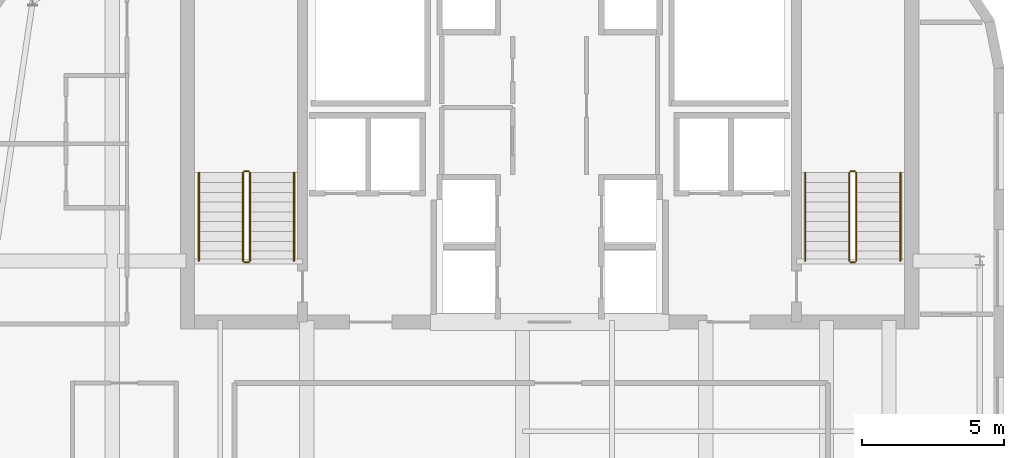
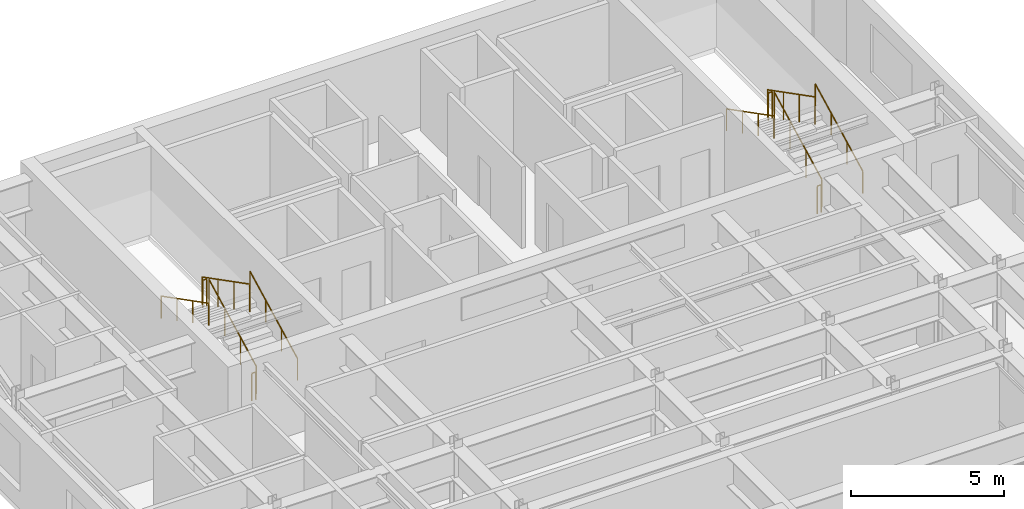
# One storey, part 21 of 21: 12 railings.
"""IFC4 building model written with IfcOpenShell, lengths in metres."""

from ifc_helpers import new_model, si_unit, direction, frame, origin, origin_2d, place, context, subcontext, project, spatial, circle, extrude, material, type_object, element, save


model = new_model("IFC4")

# Units and contexts
model_context = context("Model", 3, precision=1e-05, world=origin(), true_north=direction((0.0, 1.0)))
body_context = subcontext(model_context, "Body", "Model", "MODEL_VIEW")
ifc_project = project(units=[si_unit("LENGTHUNIT", "METRE"), si_unit("AREAUNIT", "SQUARE_METRE"), si_unit("VOLUMEUNIT", "CUBIC_METRE"), si_unit("PLANEANGLEUNIT", "RADIAN"), si_unit("MASSUNIT", "GRAM", prefix="KILO")], contexts=[model_context])

# Site, building, storey
site_placement = place(None, origin())
site = spatial("IfcSite", under=ifc_project, at=site_placement, CompositionType="ELEMENT")
building_placement = place(site_placement, origin())
building = spatial("IfcBuilding", under=site, at=building_placement, Name="Tolvann Quenvar Hotel", CompositionType="ELEMENT")
storey_placement = place(building_placement, frame((0.0, 0.0, 266.5)))
storey = spatial("IfcBuildingStorey", under=building, at=storey_placement, Name="L71", CompositionType="ELEMENT", Elevation=266.5)

# Railings
ifc_material = material(Name="Brushed 316 stainless steel balustrade and handrail", Category="steel")
railing_type_1 = type_object("IfcRailingType", Name="GUARDRAIL", PredefinedType="GUARDRAIL", material=ifc_material)
railing_1_placement = place(storey_placement, frame((12.449951171875, 34.0, 0.177490234375)))
element("IfcRailing", 1, at=railing_1_placement, inside=storey, type_object=railing_type_1, Name="L71 ST-C1 stair guard 1", PredefinedType="GUARDRAIL", context=body_context, shape_type="SweptSolid", body=[
    extrude(circle(Radius=0.02392578125, at=origin_2d()), frame((0.0, 0.0, 1.09619140625), z_axis=(0.0, 0.889221982265, 0.45747597342), x_axis=(-1.0, 0.0, 0.0)), (0.0, 0.0, 1.0), 3.49169921875),
    extrude(circle(Radius=0.02099609375, at=origin_2d()), origin(), (0.0, 0.0, 1.0), 1.072021484375),
    extrude(circle(Radius=0.02099609375, at=origin_2d()), frame((0.0, 1.034912109375, 0.532470703125)), (0.0, 0.0, 1.0), 1.072021484375),
    extrude(circle(Radius=0.02099609375, at=origin_2d()), frame((0.0, 2.070068359375, 1.06494140625)), (0.0, 0.0, 1.0), 1.072021484375),
    extrude(circle(Radius=0.02099609375, at=origin_2d()), frame((0.0, 3.10498046875, 1.597412109375)), (0.0, 0.0, 1.0), 1.072021484375),
])
railing_2_placement = place(storey_placement, frame((12.39990234375, 37.155029296875, 1.77490234375)))
element("IfcRailing", 2, at=railing_2_placement, inside=storey, type_object=railing_type_1, Name="L71 ST-C1 stair guard 2", PredefinedType="GUARDRAIL", context=body_context, shape_type="SweptSolid", body=[
    extrude(circle(Radius=0.02392578125, at=origin_2d()), frame((0.0, 0.0, 1.09619140625), z_axis=(-1.0, 0.0, 0.0), x_axis=(0.0, -1.0, 0.0)), (0.0, 0.0, 1.0), 0.14990234375),
    extrude(circle(Radius=0.02099609375, at=origin_2d()), origin(), (0.0, 0.0, 1.0), 1.072021484375),
    extrude(circle(Radius=0.02099609375, at=origin_2d()), frame((-0.14990234375, 0.0, 0.0)), (0.0, 0.0, 1.0), 1.072021484375),
])
railing_3_placement = place(storey_placement, frame((12.199951171875, 37.10498046875, 1.952392578125)))
element("IfcRailing", 3, at=railing_3_placement, inside=storey, type_object=railing_type_1, Name="L71 ST-C1 stair guard 3", PredefinedType="GUARDRAIL", context=body_context, shape_type="SweptSolid", body=[
    extrude(circle(Radius=0.02392578125, at=origin_2d()), frame((0.0, 0.0, 1.09619140625), z_axis=(0.0, -0.88919353882, 0.457531256332), x_axis=(1.0, 0.0, 0.0)), (0.0, 0.0, 1.0), 3.491943359375),
    extrude(circle(Radius=0.02099609375, at=origin_2d()), origin(), (0.0, 0.0, 1.0), 1.072021484375),
    extrude(circle(Radius=0.02099609375, at=origin_2d()), frame((0.0, -1.034912109375, 0.532470703125)), (0.0, 0.0, 1.0), 1.072021484375),
    extrude(circle(Radius=0.02099609375, at=origin_2d()), frame((0.0, -2.070068359375, 1.065185546875)), (0.0, 0.0, 1.0), 1.072021484375),
    extrude(circle(Radius=0.02099609375, at=origin_2d()), frame((0.0, -3.10498046875, 1.59765625)), (0.0, 0.0, 1.0), 1.072021484375),
])
railing_4_placement = place(storey_placement, frame((12.39990234375, 33.949951171875, 0.0)))
element("IfcRailing", 4, at=railing_4_placement, inside=storey, type_object=railing_type_1, Name="L71 ST-C1 stair guard 4", PredefinedType="GUARDRAIL", context=body_context, shape_type="SweptSolid", body=[
    extrude(circle(Radius=0.02392578125, at=origin_2d()), frame((0.0, 0.0, 1.09619140625), z_axis=(-1.0, 0.0, 0.0), x_axis=(0.0, -1.0, 0.0)), (0.0, 0.0, 1.0), 0.14990234375),
    extrude(circle(Radius=0.02099609375, at=origin_2d()), origin(), (0.0, 0.0, 1.0), 1.072021484375),
    extrude(circle(Radius=0.02099609375, at=origin_2d()), frame((-0.14990234375, 0.0, 0.0)), (0.0, 0.0, 1.0), 1.072021484375),
])
railing_5_placement = place(storey_placement, frame((33.800048828125, 34.0, 0.177490234375)))
element("IfcRailing", 5, at=railing_5_placement, inside=storey, type_object=railing_type_1, Name="L71 ST-C2 stair guard 1", PredefinedType="GUARDRAIL", context=body_context, shape_type="SweptSolid", body=[
    extrude(circle(Radius=0.02392578125, at=origin_2d()), frame((0.0, 0.0, 1.09619140625), z_axis=(0.0, 0.889221982265, 0.45747597342), x_axis=(-1.0, 0.0, 0.0)), (0.0, 0.0, 1.0), 3.49169921875),
    extrude(circle(Radius=0.02099609375, at=origin_2d()), origin(), (0.0, 0.0, 1.0), 1.072021484375),
    extrude(circle(Radius=0.02099609375, at=origin_2d()), frame((0.0, 1.034912109375, 0.532470703125)), (0.0, 0.0, 1.0), 1.072021484375),
    extrude(circle(Radius=0.02099609375, at=origin_2d()), frame((0.0, 2.070068359375, 1.06494140625)), (0.0, 0.0, 1.0), 1.072021484375),
    extrude(circle(Radius=0.02099609375, at=origin_2d()), frame((0.0, 3.10498046875, 1.597412109375)), (0.0, 0.0, 1.0), 1.072021484375),
])
railing_6_placement = place(storey_placement, frame((33.75, 37.155029296875, 1.77490234375)))
element("IfcRailing", 6, at=railing_6_placement, inside=storey, type_object=railing_type_1, Name="L71 ST-C2 stair guard 2", PredefinedType="GUARDRAIL", context=body_context, shape_type="SweptSolid", body=[
    extrude(circle(Radius=0.02392578125, at=origin_2d()), frame((0.0, 0.0, 1.09619140625), z_axis=(-1.0, 0.0, 0.0), x_axis=(0.0, -1.0, 0.0)), (0.0, 0.0, 1.0), 0.14990234375),
    extrude(circle(Radius=0.02099609375, at=origin_2d()), origin(), (0.0, 0.0, 1.0), 1.072021484375),
    extrude(circle(Radius=0.02099609375, at=origin_2d()), frame((-0.14990234375, 0.0, 0.0)), (0.0, 0.0, 1.0), 1.072021484375),
])
railing_7_placement = place(storey_placement, frame((33.550048828125, 37.10498046875, 1.952392578125)))
element("IfcRailing", 7, at=railing_7_placement, inside=storey, type_object=railing_type_1, Name="L71 ST-C2 stair guard 3", PredefinedType="GUARDRAIL", context=body_context, shape_type="SweptSolid", body=[
    extrude(circle(Radius=0.02392578125, at=origin_2d()), frame((0.0, 0.0, 1.09619140625), z_axis=(0.0, -0.88919353882, 0.457531256332), x_axis=(1.0, 0.0, 0.0)), (0.0, 0.0, 1.0), 3.491943359375),
    extrude(circle(Radius=0.02099609375, at=origin_2d()), origin(), (0.0, 0.0, 1.0), 1.072021484375),
    extrude(circle(Radius=0.02099609375, at=origin_2d()), frame((0.0, -1.034912109375, 0.532470703125)), (0.0, 0.0, 1.0), 1.072021484375),
    extrude(circle(Radius=0.02099609375, at=origin_2d()), frame((0.0, -2.070068359375, 1.065185546875)), (0.0, 0.0, 1.0), 1.072021484375),
    extrude(circle(Radius=0.02099609375, at=origin_2d()), frame((0.0, -3.10498046875, 1.59765625)), (0.0, 0.0, 1.0), 1.072021484375),
])
railing_8_placement = place(storey_placement, frame((33.75, 33.949951171875, 0.0)))
element("IfcRailing", 8, at=railing_8_placement, inside=storey, type_object=railing_type_1, Name="L71 ST-C2 stair guard 4", PredefinedType="GUARDRAIL", context=body_context, shape_type="SweptSolid", body=[
    extrude(circle(Radius=0.02392578125, at=origin_2d()), frame((0.0, 0.0, 1.09619140625), z_axis=(-1.0, 0.0, 0.0), x_axis=(0.0, -1.0, 0.0)), (0.0, 0.0, 1.0), 0.14990234375),
    extrude(circle(Radius=0.02099609375, at=origin_2d()), origin(), (0.0, 0.0, 1.0), 1.072021484375),
    extrude(circle(Radius=0.02099609375, at=origin_2d()), frame((-0.14990234375, 0.0, 0.0)), (0.0, 0.0, 1.0), 1.072021484375),
])
railing_type_2 = type_object("IfcRailingType", Name="HANDRAIL", PredefinedType="HANDRAIL", material=ifc_material)
railing_9_placement = place(storey_placement, frame((14.0, 34.0, 0.177490234375)))
element("IfcRailing", 9, at=railing_9_placement, inside=storey, type_object=railing_type_2, Name="L71 ST-C1 stair handrail 1", PredefinedType="HANDRAIL", context=body_context, shape_type="SweptSolid", body=[
    extrude(circle(Radius=0.02392578125, at=origin_2d()), frame((0.0, 0.0, 0.8759765625), z_axis=(0.0, 0.889221982265, 0.45747597342), x_axis=(-1.0, 0.0, 0.0)), (0.0, 0.0, 1.0), 3.49169921875),
    extrude(circle(Radius=0.02099609375, at=origin_2d()), origin(), (0.0, 0.0, 1.0), 0.851806640625),
    extrude(circle(Radius=0.02099609375, at=origin_2d()), frame((0.0, 1.034912109375, 0.532470703125)), (0.0, 0.0, 1.0), 0.851806640625),
    extrude(circle(Radius=0.02099609375, at=origin_2d()), frame((0.0, 2.070068359375, 1.06494140625)), (0.0, 0.0, 1.0), 0.851806640625),
    extrude(circle(Radius=0.02099609375, at=origin_2d()), frame((0.0, 3.10498046875, 1.597412109375)), (0.0, 0.0, 1.0), 0.851806640625),
])
railing_10_placement = place(storey_placement, frame((10.64990234375, 37.10498046875, 1.952392578125)))
element("IfcRailing", 10, at=railing_10_placement, inside=storey, type_object=railing_type_2, Name="L71 ST-C1 stair handrail 2", PredefinedType="HANDRAIL", context=body_context, shape_type="SweptSolid", body=[
    extrude(circle(Radius=0.02392578125, at=origin_2d()), frame((0.0, 0.0, 0.8759765625), z_axis=(0.0, -0.88919353882, 0.457531256332), x_axis=(1.0, 0.0, 0.0)), (0.0, 0.0, 1.0), 3.491943359375),
    extrude(circle(Radius=0.02099609375, at=origin_2d()), origin(), (0.0, 0.0, 1.0), 0.851806640625),
    extrude(circle(Radius=0.02099609375, at=origin_2d()), frame((0.0, -1.034912109375, 0.532470703125)), (0.0, 0.0, 1.0), 0.851806640625),
    extrude(circle(Radius=0.02099609375, at=origin_2d()), frame((0.0, -2.070068359375, 1.065185546875)), (0.0, 0.0, 1.0), 0.851806640625),
    extrude(circle(Radius=0.02099609375, at=origin_2d()), frame((0.0, -3.10498046875, 1.59765625)), (0.0, 0.0, 1.0), 0.851806640625),
])
railing_11_placement = place(storey_placement, frame((35.35009765625, 34.0, 0.177490234375)))
element("IfcRailing", 11, at=railing_11_placement, inside=storey, type_object=railing_type_2, Name="L71 ST-C2 stair handrail 1", PredefinedType="HANDRAIL", context=body_context, shape_type="SweptSolid", body=[
    extrude(circle(Radius=0.02392578125, at=origin_2d()), frame((0.0, 0.0, 0.8759765625), z_axis=(0.0, 0.889221982265, 0.45747597342), x_axis=(-1.0, 0.0, 0.0)), (0.0, 0.0, 1.0), 3.49169921875),
    extrude(circle(Radius=0.02099609375, at=origin_2d()), origin(), (0.0, 0.0, 1.0), 0.851806640625),
    extrude(circle(Radius=0.02099609375, at=origin_2d()), frame((0.0, 1.034912109375, 0.532470703125)), (0.0, 0.0, 1.0), 0.851806640625),
    extrude(circle(Radius=0.02099609375, at=origin_2d()), frame((0.0, 2.070068359375, 1.06494140625)), (0.0, 0.0, 1.0), 0.851806640625),
    extrude(circle(Radius=0.02099609375, at=origin_2d()), frame((0.0, 3.10498046875, 1.597412109375)), (0.0, 0.0, 1.0), 0.851806640625),
])
railing_12_placement = place(storey_placement, frame((32.0, 37.10498046875, 1.952392578125)))
element("IfcRailing", 12, at=railing_12_placement, inside=storey, type_object=railing_type_2, Name="L71 ST-C2 stair handrail 2", PredefinedType="HANDRAIL", context=body_context, shape_type="SweptSolid", body=[
    extrude(circle(Radius=0.02392578125, at=origin_2d()), frame((0.0, 0.0, 0.8759765625), z_axis=(0.0, -0.88919353882, 0.457531256332), x_axis=(1.0, 0.0, 0.0)), (0.0, 0.0, 1.0), 3.491943359375),
    extrude(circle(Radius=0.02099609375, at=origin_2d()), origin(), (0.0, 0.0, 1.0), 0.851806640625),
    extrude(circle(Radius=0.02099609375, at=origin_2d()), frame((0.0, -1.034912109375, 0.532470703125)), (0.0, 0.0, 1.0), 0.851806640625),
    extrude(circle(Radius=0.02099609375, at=origin_2d()), frame((0.0, -2.070068359375, 1.065185546875)), (0.0, 0.0, 1.0), 0.851806640625),
    extrude(circle(Radius=0.02099609375, at=origin_2d()), frame((0.0, -3.10498046875, 1.59765625)), (0.0, 0.0, 1.0), 0.851806640625),
])

save(model, "model.ifc")
